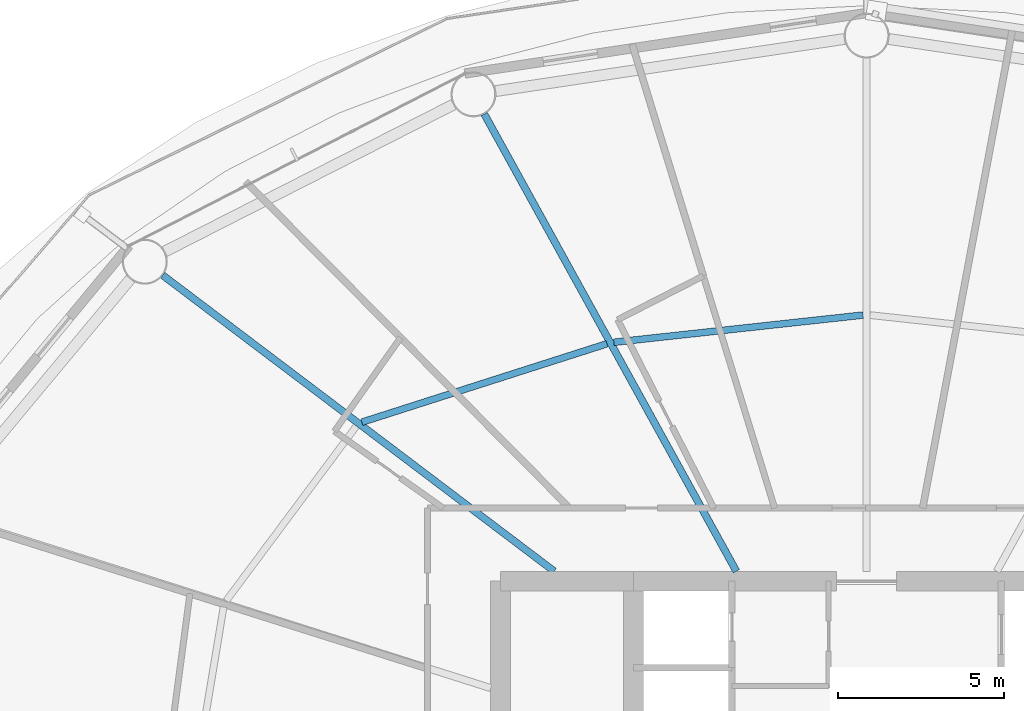
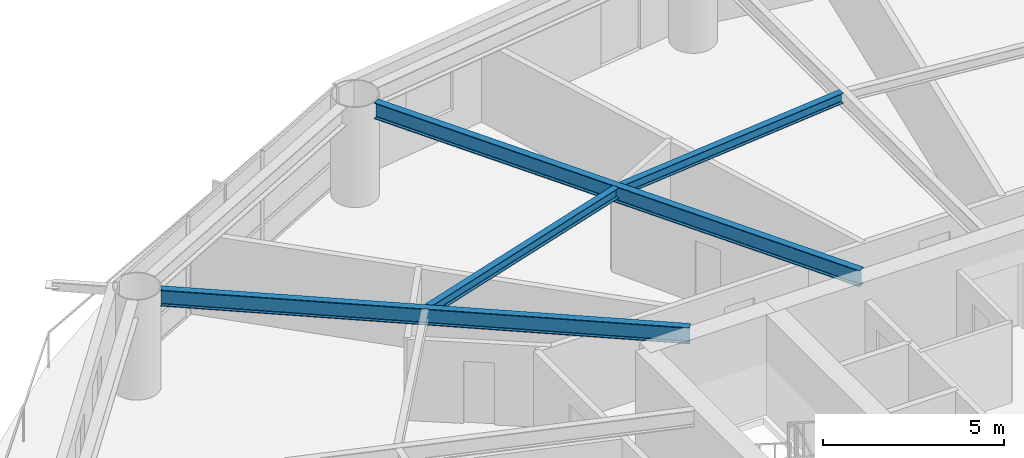
# One storey, part 11 of 26: 4 beams.
"""IFC4 building model written with IfcOpenShell, lengths in metres."""

import ifcopenshell
import ifcopenshell.guid

model = None  # the IFC model being written
_history = None  # IfcOwnerHistory: only IFC2X3 demands one
_inside = {}  # id of a spatial element -> (the spatial element, [elements in it])
_under = {}  # id of a project, library or spatial element -> (it, [spatial elements below it])
_declared = {}  # id of a project -> (the project, [libraries it declares])
_typed = {}  # id of a type object -> (the type object, [elements of that type])
_made_of = {}  # id of a material, layer set ... -> (it, [elements and type objects made of it])


def new_model(schema):
    """Start an empty IFC model of exactly this schema.

    Asked for "IFC4X3", IfcOpenShell would pick the latest addendum, in which some entities
    have other attributes; the version numbers below select the first issue.
    IFC2X3 requires an IfcOwnerHistory on every rooted entity: one is made here for all.
    """
    global model, _history
    if schema == "IFC4X3":
        model = ifcopenshell.file(schema_version=(4, 3, 0, 0))
    else:
        model = ifcopenshell.file(schema=schema)
    _inside.clear()
    _under.clear()
    _declared.clear()
    _typed.clear()
    _made_of.clear()
    _history = None
    if model.schema == "IFC2X3":
        org = make("IfcOrganization", Name="unknown")
        user = make(
            "IfcPersonAndOrganization",
            ThePerson=make("IfcPerson", FamilyName="unknown"),
            TheOrganization=org,
        )
        app = make(
            "IfcApplication",
            ApplicationDeveloper=org,
            Version="unknown",
            ApplicationFullName="unknown",
            ApplicationIdentifier="unknown",
        )
        _history = make(
            "IfcOwnerHistory",
            OwningUser=user,
            OwningApplication=app,
            ChangeAction="ADDED",
            CreationDate=0,
        )
    return model


def make(cls, **values):
    """One entity of the class cls with the attributes given. An attribute that is None is left unset."""
    return model.create_entity(
        cls, **{name: value for name, value in values.items() if value is not None}
    )


def rooted(cls, **values):
    """An entity with a GlobalId (a new one), such as an element, a storey or a relation."""
    return make(cls, GlobalId=ifcopenshell.guid.new(), OwnerHistory=_history, **values)


def si_unit(unit_type, name, prefix=None):
    """IfcSIUnit, for example si_unit("LENGTHUNIT", "METRE", prefix="MILLI")."""
    return make("IfcSIUnit", UnitType=unit_type, Prefix=prefix, Name=name)


def assignment(units):
    """IfcUnitAssignment: the units of a project."""
    return None if units is None else make("IfcUnitAssignment", Units=units)


def point(xyz):
    """IfcCartesianPoint."""
    return None if xyz is None else make("IfcCartesianPoint", Coordinates=xyz)


def direction(xyz):
    """IfcDirection."""
    return None if xyz is None else make("IfcDirection", DirectionRatios=xyz)


def frame(location, z_axis=None, x_axis=None):
    """IfcAxis2Placement3D, a coordinate frame: its origin and axes. An axis left out is left unset."""
    return make(
        "IfcAxis2Placement3D",
        Location=point(location),
        Axis=direction(z_axis),
        RefDirection=direction(x_axis),
    )


def frame_2d(location, x_axis=None):
    """IfcAxis2Placement2D, a coordinate frame in the plane: its origin and x axis."""
    return make(
        "IfcAxis2Placement2D", Location=point(location), RefDirection=direction(x_axis)
    )


def origin():
    """The frame at (0, 0, 0) with its axes left unset."""
    return frame((0.0, 0.0, 0.0))


def origin_2d():
    """The frame at (0, 0) in the plane with its x axis left unset."""
    return frame_2d((0.0, 0.0))


def place(relative_to, where):
    """IfcLocalPlacement: puts the frame where relative to a parent placement (None: the world)."""
    return make(
        "IfcLocalPlacement", PlacementRelTo=relative_to, RelativePlacement=where
    )


def context(
    kind, dimensions, precision=None, world=None, true_north=None, identifier=None
):
    """IfcGeometricRepresentationContext, for example the 3D "Model" context."""
    return make(
        "IfcGeometricRepresentationContext",
        ContextIdentifier=identifier,
        ContextType=kind,
        CoordinateSpaceDimension=dimensions,
        Precision=precision,
        WorldCoordinateSystem=world,
        TrueNorth=true_north,
    )


def subcontext(parent, identifier, kind, view, scale=None):
    """IfcGeometricRepresentationSubContext, for example "Body" below "Model"."""
    return make(
        "IfcGeometricRepresentationSubContext",
        ContextIdentifier=identifier,
        ContextType=kind,
        ParentContext=parent,
        TargetScale=scale,
        TargetView=view,
    )


def project(units=None, contexts=None):
    """IfcProject with its units and contexts."""
    return rooted(
        "IfcProject",
        Name="project",
        RepresentationContexts=contexts,
        UnitsInContext=assignment(units),
    )


def spatial(cls, under=None, at=None, **own):
    """A site, building, storey or space (cls), placed at a placement, below another one or the project."""
    s = rooted(cls, ObjectPlacement=at, **own)
    if under is not None:
        _under.setdefault(under.id(), (under, []))[1].append(s)
    return s


def profile(cls, at=None, kind="AREA", **sizes):
    """A parametric profile (cls). Its sizes go by their IFC names, for example OverallWidth=200.0."""
    return make(cls, ProfileType=kind, Position=at, **sizes)


def i_section(**sizes):
    """IfcIShapeProfileDef."""
    return profile("IfcIShapeProfileDef", **sizes)


def extrude(swept, where, along, depth):
    """IfcExtrudedAreaSolid: the profile swept, set in the frame where, extruded along a direction by depth."""
    return make(
        "IfcExtrudedAreaSolid",
        SweptArea=swept,
        Position=where,
        ExtrudedDirection=direction(along),
        Depth=depth,
    )


def shape(context_of_items, identifier, shape_type, items):
    """IfcShapeRepresentation: the items that make up one representation, for example the "Body"."""
    return make(
        "IfcShapeRepresentation",
        ContextOfItems=context_of_items,
        RepresentationIdentifier=identifier,
        RepresentationType=shape_type,
        Items=items,
    )


def material(Name=None, Category=None):
    """IfcMaterial."""
    return make("IfcMaterial", Name=Name, Category=Category)


def material_profile(
    of_material, cross_section, Name=None, Category=None, Priority=None
):
    """IfcMaterialProfile: a cross section and its material."""
    return make(
        "IfcMaterialProfile",
        Name=Name,
        Material=of_material,
        Profile=cross_section,
        Priority=Priority,
        Category=Category,
    )


def profile_set(profiles, Name=None, composite=None):
    """IfcMaterialProfileSet."""
    return make(
        "IfcMaterialProfileSet",
        Name=Name,
        MaterialProfiles=profiles,
        CompositeProfile=composite,
    )


def made_of(thing, what):
    """Note that an element or type object is made of a material, layer set ...; save() writes the relation."""
    if what is not None:
        _made_of.setdefault(what.id(), (what, []))[1].append(thing)
    return thing


def type_object(cls, material=None, **own):
    """A type object (cls), such as IfcWallType, which elements share."""
    return made_of(rooted(cls, **own), material)


def element(
    cls,
    number,
    at=None,
    inside=None,
    cuts=None,
    type_object=None,
    material=None,
    context=None,
    identifier="Body",
    shape_type=None,
    held_by="IfcProductDefinitionShape",
    body=None,
    shapes=None,
    **own,
):
    """One element of the class cls, such as IfcWall. Its Tag is "e" and its number.

    at: its placement. inside: the storey or other place that contains it. cuts: it is an
    opening in that element (IfcRelVoidsElement). A single representation is given by context,
    identifier, shape_type and body (its items); several are given by shapes. held_by: the class
    of the entity that holds the representations. save() writes the other relations.
    """
    e = rooted(cls, Tag="e%d" % number, ObjectPlacement=at, **own)
    if body is not None:
        shapes = [shape(context, identifier, shape_type, body)]
    if shapes is not None:
        e.Representation = make(held_by, Representations=shapes)
    if inside is not None:
        _inside.setdefault(inside.id(), (inside, []))[1].append(e)
    if cuts is not None:
        rooted(
            "IfcRelVoidsElement", RelatingBuildingElement=cuts, RelatedOpeningElement=e
        )
    if type_object is not None:
        _typed.setdefault(type_object.id(), (type_object, []))[1].append(e)
    return made_of(e, material)


def aggregate(whole, parts):
    """IfcRelAggregates: a whole, such as a stair, and the parts it consists of."""
    return rooted("IfcRelAggregates", RelatingObject=whole, RelatedObjects=parts)


def save(model, path):
    """Write the relations noted so far, then the file.

    IfcRelAggregates (storeys below a building ...), IfcRelContainedInSpatialStructure (elements
    in a storey), IfcRelDefinesByType, IfcRelAssociatesMaterial and IfcRelDeclares: one each for
    every whole, place, type object, material and project.
    """
    for whole, parts in _under.values():
        aggregate(whole, parts)
    for where, things in _inside.values():
        rooted(
            "IfcRelContainedInSpatialStructure",
            RelatedElements=things,
            RelatingStructure=where,
        )
    for kind, things in _typed.values():
        rooted("IfcRelDefinesByType", RelatedObjects=things, RelatingType=kind)
    for what, things in _made_of.values():
        rooted("IfcRelAssociatesMaterial", RelatedObjects=things, RelatingMaterial=what)
    for by, libraries in _declared.values():
        rooted("IfcRelDeclares", RelatingContext=by, RelatedDefinitions=libraries)
    model.write(path)


model = new_model("IFC4")

# Units and contexts
model_context = context("Model", 3, precision=1e-05, world=origin(), true_north=direction((0.0, 1.0)))
body_context = subcontext(model_context, "Body", "Model", "MODEL_VIEW")
ifc_project = project(units=[si_unit("LENGTHUNIT", "METRE"), si_unit("AREAUNIT", "SQUARE_METRE"), si_unit("VOLUMEUNIT", "CUBIC_METRE"), si_unit("PLANEANGLEUNIT", "RADIAN"), si_unit("MASSUNIT", "GRAM", prefix="KILO")], contexts=[model_context])

# Site, building, storey
site_placement = place(None, origin())
site = spatial("IfcSite", under=ifc_project, at=site_placement, CompositionType="ELEMENT")
building_placement = place(site_placement, origin())
building = spatial("IfcBuilding", under=site, at=building_placement, Name="Sarneth Arch Tower", CompositionType="ELEMENT")
storey_placement = place(building_placement, frame((0.0, 0.0, 53.39990234375)))
storey = spatial("IfcBuildingStorey", under=building, at=storey_placement, Name="L12", CompositionType="ELEMENT", Elevation=53.39990234375)

# Beams
ifc_material_1 = material(Name="Steel S355", Category="steel")
ifc_material_profile_1 = material_profile(ifc_material_1, i_section(OverallWidth=0.2041015625, OverallDepth=0.35009765625, WebThickness=0.008544921875, FlangeThickness=0.01513671875, FilletRadius=0.014892578125, at=origin_2d()), Name="W360x72")
ifc_profile_set_1 = profile_set([ifc_material_profile_1], Name="Steel S355")
beam_type_1 = type_object("IfcBeamType", Name="BM-JOIST-360D", PredefinedType="JOIST", material=ifc_profile_set_1)
beam_1_placement = place(storey_placement, frame((47.8935546875, 56.80078125, 3.205078125), z_axis=(-0.994095251924, -0.108510967657, 0.0), x_axis=(0.108510967657, -0.994095251924, 0.0)))
element("IfcBeam", 1, at=beam_1_placement, inside=storey, type_object=beam_type_1, Name="L12 Secondary floor joist 05", PredefinedType="JOIST", context=body_context, shape_type="SweptSolid", body=[
    extrude(i_section(OverallWidth=0.2041015625, OverallDepth=0.35009765625, WebThickness=0.008544921875, FlangeThickness=0.01513671875, FilletRadius=0.014892578125, at=origin_2d()), origin(), (0.0, 0.0, 1.0), 7.534912109375),
])
beam_2_placement = place(storey_placement, frame((40.19482421875, 55.938720703125, 3.205078125), z_axis=(-0.952436240143, -0.304737934073, 0.0), x_axis=(0.304737934073, -0.952436240143, 0.0)))
element("IfcBeam", 2, at=beam_2_placement, inside=storey, type_object=beam_type_1, Name="L12 Secondary floor joist 06", PredefinedType="JOIST", context=body_context, shape_type="SweptSolid", body=[
    extrude(i_section(OverallWidth=0.2041015625, OverallDepth=0.35009765625, WebThickness=0.008544921875, FlangeThickness=0.01513671875, FilletRadius=0.014892578125, at=origin_2d()), origin(), (0.0, 0.0, 1.0), 7.735107421875),
])
ifc_material_2 = material(Name="Steel S355", Category="steel")
ifc_material_profile_2 = material_profile(ifc_material_2, i_section(OverallWidth=0.214111328125, OverallDepth=0.549072265625, WebThickness=0.0146484375, FlangeThickness=0.023681640625, FilletRadius=0.01806640625, at=origin_2d()), Name="W530x138")
ifc_profile_set_2 = profile_set([ifc_material_profile_2], Name="Steel S355")
beam_type_2 = type_object("IfcBeamType", Name="BM-RAD-530A", PredefinedType="BEAM", material=ifc_profile_set_2)
beam_3_placement = place(storey_placement, frame((44.08544921875, 49.10009765625, 3.105712890625), z_axis=(-0.482837562311, 0.875709933952, 0.0), x_axis=(-0.875709933952, -0.482837562311, 0.0)))
element("IfcBeam", 3, at=beam_3_placement, inside=storey, type_object=beam_type_2, Name="L12 Radial floor girder 06", PredefinedType="BEAM", context=body_context, shape_type="SweptSolid", body=[
    extrude(i_section(OverallWidth=0.214111328125, OverallDepth=0.549072265625, WebThickness=0.0146484375, FlangeThickness=0.023681640625, FilletRadius=0.01806640625, at=origin_2d()), origin(), (0.0, 0.0, 1.0), 15.693359375),
])
beam_4_placement = place(storey_placement, frame((38.609619140625, 49.10009765625, 3.105712890625), z_axis=(-0.797656612852, 0.603111870198, 0.0), x_axis=(-0.603111870198, -0.797656612852, 0.0)))
element("IfcBeam", 4, at=beam_4_placement, inside=storey, type_object=beam_type_2, Name="L12 Radial floor girder 07", PredefinedType="BEAM", context=body_context, shape_type="SweptSolid", body=[
    extrude(i_section(OverallWidth=0.214111328125, OverallDepth=0.549072265625, WebThickness=0.0146484375, FlangeThickness=0.023681640625, FilletRadius=0.01806640625, at=origin_2d()), origin(), (0.0, 0.0, 1.0), 14.7529296875),
])

save(model, "model.ifc")
